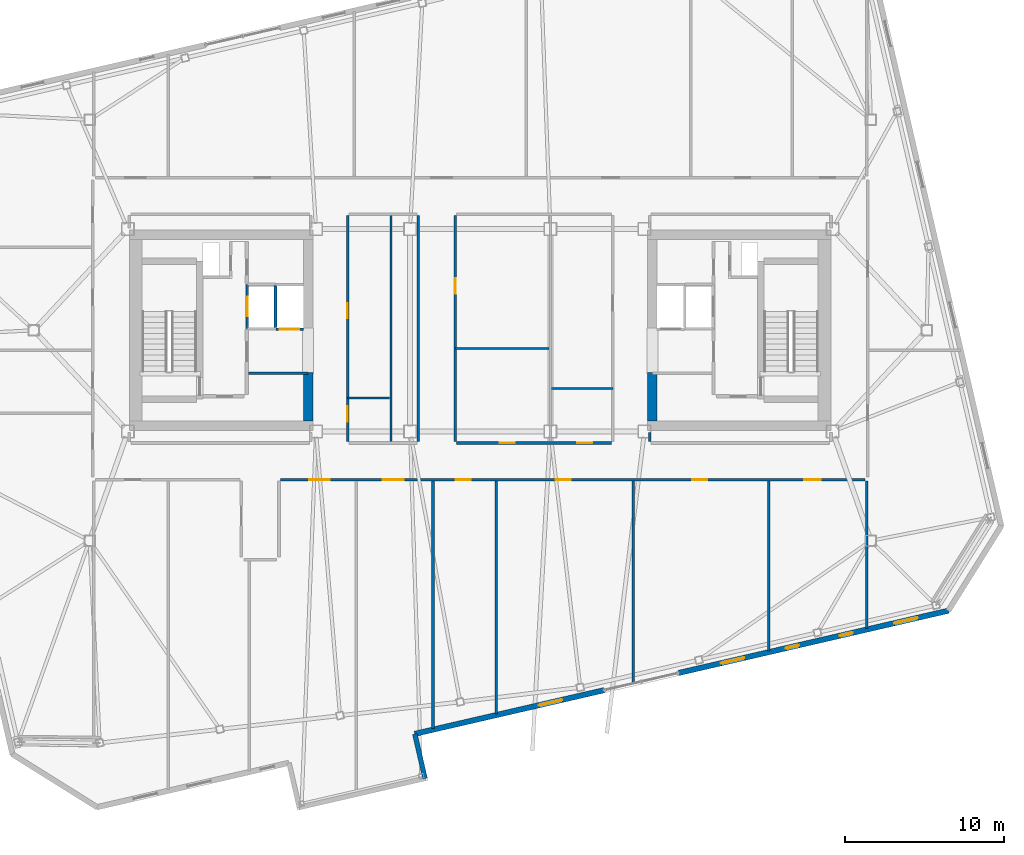
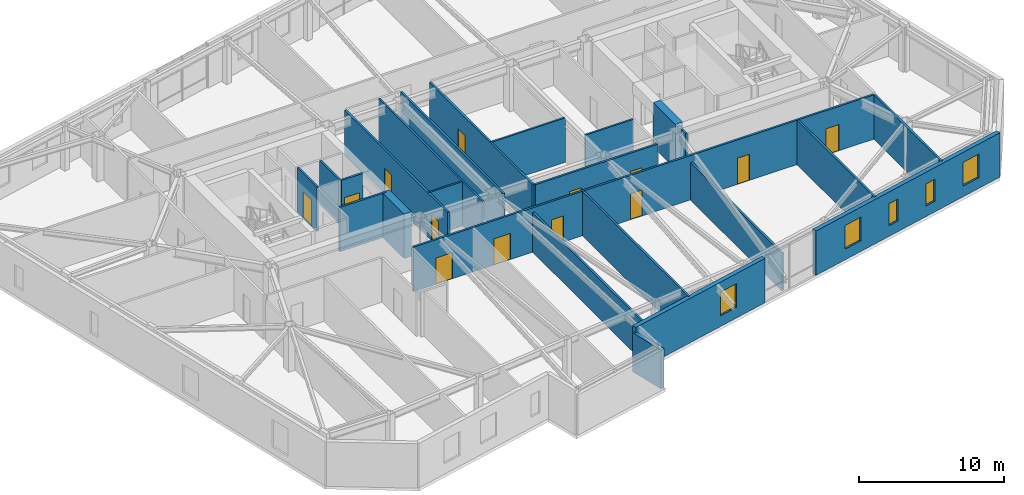
# One storey, part 15 of 21: 24 walls, 13 doors, 5 windows, 18 openings.
"""IFC4 building model written with IfcOpenShell, lengths in metres."""

from ifc_helpers import new_model, si_unit, direction, frame, frame_2d, origin, place, context, subcontext, project, spatial, rectangle, extrude, material, layer, layer_set, type_object, element, fill, save


model = new_model("IFC4")

# Units and contexts
model_context = context("Model", 3, precision=1e-05, world=origin(), true_north=direction((0.0, 1.0)))
body_context = subcontext(model_context, "Body", "Model", "MODEL_VIEW")
ifc_project = project(units=[si_unit("LENGTHUNIT", "METRE"), si_unit("AREAUNIT", "SQUARE_METRE"), si_unit("VOLUMEUNIT", "CUBIC_METRE"), si_unit("PLANEANGLEUNIT", "RADIAN"), si_unit("MASSUNIT", "GRAM", prefix="KILO")], contexts=[model_context])

# Site, building, storey
site_placement = place(None, origin())
site = spatial("IfcSite", under=ifc_project, at=site_placement, CompositionType="ELEMENT")
building_placement = place(site_placement, origin())
building = spatial("IfcBuilding", under=site, at=building_placement, Name="Tavrogorsk Clinical Tower", CompositionType="ELEMENT")
storey_placement = place(building_placement, frame((0.0, 0.0, 285.0)))
storey = spatial("IfcBuildingStorey", under=building, at=storey_placement, Name="L66", CompositionType="ELEMENT", Elevation=285.0)

# Walls
ifc_material_1 = material(Name="Lightweight concrete blockwork B15", Category="masonry")
ifc_layer_1 = layer(ifc_material_1, 0.139892578125)
ifc_layer_set_1 = layer_set([ifc_layer_1], Name="Lightweight concrete blockwork B15")
wall_type_1 = type_object("IfcWallType", Name="PartitionWall_140", PredefinedType="PARTITIONING", material=ifc_layer_set_1)
wall_1_placement = place(storey_placement, frame((-5.60009765625, -7.06494140625, 0.0), z_axis=(0.0, 0.0, 1.0), x_axis=(0.0, 1.0, 0.0)))
element("IfcWall", 1, at=wall_1_placement, inside=storey, type_object=wall_type_1, Name="L66 Central Spine Partition 1", PredefinedType="PARTITIONING", context=body_context, shape_type="SweptSolid", body=[
    extrude(rectangle(XDim=14.329833984375, YDim=0.139892578125, at=frame_2d((7.1650390625, 0.0))), origin(), (0.0, 0.0, 1.0), 3.739990234375),
])
wall_2_placement = place(storey_placement, frame((-1.56494140625, -1.14990234375, 0.0), z_axis=(0.0, 0.0, 1.0), x_axis=(1.0, 0.0, 0.0)))
element("IfcWall", 2, at=wall_2_placement, inside=storey, type_object=wall_type_1, Name="L66 Central Spine Partition 3", PredefinedType="PARTITIONING", context=body_context, shape_type="SweptSolid", body=[
    extrude(rectangle(XDim=5.889892578125, YDim=0.139892578125, at=frame_2d((2.94482421875, 0.0))), origin(), (0.0, 0.0, 1.0), 3.739990234375),
])
wall_3_placement = place(storey_placement, frame((-8.31494140625, -4.25, 0.0), z_axis=(0.0, 0.0, 1.0), x_axis=(1.0, 0.0, 0.0)))
element("IfcWall", 3, at=wall_3_placement, inside=storey, type_object=wall_type_1, Name="L66 Central Spine Partition 4", PredefinedType="PARTITIONING", context=body_context, shape_type="SweptSolid", body=[
    extrude(rectangle(XDim=2.639892578125, YDim=0.139892578125, at=frame_2d((1.31982421875, 0.0))), origin(), (0.0, 0.0, 1.0), 3.739990234375),
])
wall_4_placement = place(storey_placement, frame((4.47509765625, -3.64990234375, 0.0), z_axis=(0.0, 0.0, 1.0), x_axis=(1.0, 0.0, 0.0)))
element("IfcWall", 4, at=wall_4_placement, inside=storey, type_object=wall_type_1, Name="L66 Central Spine Partition 5", PredefinedType="PARTITIONING", context=body_context, shape_type="SweptSolid", body=[
    extrude(rectangle(XDim=3.83984375, YDim=0.139892578125, at=frame_2d((1.919921875, 0.0))), origin(), (0.0, 0.0, 1.0), 3.739990234375),
])
ifc_material_2 = material(Name="Lightweight concrete blockwork B15", Category="masonry")
ifc_layer_2 = layer(ifc_material_2, 0.159912109375)
ifc_layer_set_2 = layer_set([ifc_layer_2], Name="Lightweight concrete blockwork B15")
wall_type_2 = type_object("IfcWallType", Name="PartitionWall_160", PredefinedType="PARTITIONING", material=ifc_layer_set_2)
wall_5_placement = place(storey_placement, frame((-14.534912109375, -2.699951171875, 0.0), z_axis=(0.0, 0.0, 1.0), x_axis=(1.0, 0.0, 0.0)))
element("IfcWall", 5, at=wall_5_placement, inside=storey, type_object=wall_type_2, Name="L66 Core West Freed Mid-Bank North Partition", PredefinedType="PARTITIONING", context=body_context, shape_type="SweptSolid", body=[
    extrude(rectangle(XDim=3.73486328125, YDim=0.159912109375, at=frame_2d((1.867431640625, 0.0))), origin(), (0.0, 0.0, 1.0), 3.739990234375),
])

# Wall, openings, doors
wall_6_placement = place(storey_placement, frame((24.14501953125, -9.3798828125, 0.0), z_axis=(0.0, 0.0, 1.0), x_axis=(-1.0, 0.0, 0.0)))
wall_6 = element("IfcWall", 6, at=wall_6_placement, inside=storey, type_object=wall_type_2, Name="L66 Corridor Partition 04", PredefinedType="PARTITIONING", context=body_context, shape_type="SweptSolid", body=[
    extrude(rectangle(XDim=36.679931640625, YDim=0.159912109375, at=frame_2d((18.33984375, 0.0))), origin(), (0.0, 0.0, 1.0), 3.739990234375),
])
opening_1_placement = place(wall_6_placement, frame((33.580810546875, 0.0, 0.0)))
opening_1 = element("IfcOpeningElement", 7, at=opening_1_placement, cuts=wall_6, Name="Opening ID-01", PredefinedType="OPENING", context=body_context, shape_type="SweptSolid", body=[
    extrude(rectangle(XDim=1.300048828125, YDim=2.199951171875, at=frame_2d((0.64990234375, 1.10009765625))), frame((0.0, 0.08984375, 0.0), z_axis=(0.0, -1.0, 0.0), x_axis=(1.0, 0.0, 0.0)), (0.0, 0.0, 1.0), 0.179931640625),
])
opening_2_placement = place(wall_6_placement, frame((28.946044921875, 0.0, 0.0)))
opening_2 = element("IfcOpeningElement", 8, at=opening_2_placement, cuts=wall_6, Name="Opening ID-01", PredefinedType="OPENING", context=body_context, shape_type="SweptSolid", body=[
    extrude(rectangle(XDim=1.300048828125, YDim=2.199951171875, at=frame_2d((0.64990234375, 1.10009765625))), frame((0.0, 0.08984375, 0.0), z_axis=(0.0, -1.0, 0.0), x_axis=(1.0, 0.0, 0.0)), (0.0, 0.0, 1.0), 0.179931640625),
])
opening_3_placement = place(wall_6_placement, frame((24.736083984375, 0.0, 0.0)))
opening_3 = element("IfcOpeningElement", 9, at=opening_3_placement, cuts=wall_6, Name="Opening ID-02", PredefinedType="OPENING", context=body_context, shape_type="SweptSolid", body=[
    extrude(rectangle(XDim=0.949951171875, YDim=2.199951171875, at=frame_2d((0.47509765625, 1.10009765625))), frame((0.0, 0.08984375, 0.0), z_axis=(0.0, -1.0, 0.0), x_axis=(1.0, 0.0, 0.0)), (0.0, 0.0, 1.0), 0.179931640625),
])
opening_4_placement = place(wall_6_placement, frame((18.455078125, 0.0, 0.0)))
opening_4 = element("IfcOpeningElement", 10, at=opening_4_placement, cuts=wall_6, Name="Opening ID-02", PredefinedType="OPENING", context=body_context, shape_type="SweptSolid", body=[
    extrude(rectangle(XDim=0.949951171875, YDim=2.199951171875, at=frame_2d((0.47509765625, 1.10009765625))), frame((0.0, 0.08984375, 0.0), z_axis=(0.0, -1.0, 0.0), x_axis=(1.0, 0.0, 0.0)), (0.0, 0.0, 1.0), 0.179931640625),
])
opening_5_placement = place(wall_6_placement, frame((9.905029296875, 0.0, 0.0)))
opening_5 = element("IfcOpeningElement", 11, at=opening_5_placement, cuts=wall_6, Name="Opening ID-02", PredefinedType="OPENING", context=body_context, shape_type="SweptSolid", body=[
    extrude(rectangle(XDim=0.949951171875, YDim=2.199951171875, at=frame_2d((0.47509765625, 1.10009765625))), frame((0.0, 0.08984375, 0.0), z_axis=(0.0, -1.0, 0.0), x_axis=(1.0, 0.0, 0.0)), (0.0, 0.0, 1.0), 0.179931640625),
])
opening_6_placement = place(wall_6_placement, frame((2.7841796875, 0.0, 0.0)))
opening_6 = element("IfcOpeningElement", 12, at=opening_6_placement, cuts=wall_6, Name="Opening ID-04", PredefinedType="OPENING", context=body_context, shape_type="SweptSolid", body=[
    extrude(rectangle(XDim=1.050048828125, YDim=2.199951171875, at=frame_2d((0.52490234375, 1.10009765625))), frame((0.0, 0.08984375, 0.0), z_axis=(0.0, -1.0, 0.0), x_axis=(1.0, 0.0, 0.0)), (0.0, 0.0, 1.0), 0.179931640625),
])
ifc_material_3 = material(Name="Antibacterial HPL consultation door on aluminium frame", Category="aluminium")
door_type_1 = type_object("IfcDoorType", Name="ConsultDoor_ID04_1050", OperationType="NOTDEFINED", PredefinedType="DOOR", material=ifc_material_3)
door_1_placement = place(opening_6_placement, origin())
door_1 = element("IfcDoor", 13, at=door_1_placement, inside=storey, type_object=door_type_1, Name="L66 South Attending Physician Office 07 Door", OperationType="SINGLE_SWING_RIGHT", OverallHeight=2.199951171875, OverallWidth=1.050048828125, PredefinedType="DOOR", context=body_context, shape_type="SweptSolid", body=[
    extrude(rectangle(XDim=1.050048828125, YDim=2.199951171875, at=frame_2d((0.52490234375, 1.10009765625))), frame((0.0, 0.02490234375, 0.0), z_axis=(0.0, -1.0, 0.0), x_axis=(1.0, 0.0, 0.0)), (0.0, 0.0, 1.0), 0.050048828125),
])
fill(opening_6, door_1)
ifc_material_4 = material(Name="Laminated timber leaf on aluminium frame", Category="wood")
door_type_2 = type_object("IfcDoorType", Name="InteriorDoor_ID02_950", OperationType="NOTDEFINED", PredefinedType="DOOR", material=ifc_material_4)
door_2_placement = place(opening_3_placement, origin())
door_2 = element("IfcDoor", 14, at=door_2_placement, inside=storey, type_object=door_type_2, Name="L66 South Clean Medication & Prep Room 04 Door", OperationType="SINGLE_SWING_LEFT", OverallHeight=2.199951171875, OverallWidth=0.949951171875, PredefinedType="DOOR", context=body_context, shape_type="SweptSolid", body=[
    extrude(rectangle(XDim=0.949951171875, YDim=2.199951171875, at=frame_2d((0.47509765625, 1.10009765625))), frame((0.0, 0.02490234375, 0.0), z_axis=(0.0, -1.0, 0.0), x_axis=(1.0, 0.0, 0.0)), (0.0, 0.0, 1.0), 0.050048828125),
])
fill(opening_3, door_2)
door_3_placement = place(opening_4_placement, origin())
door_3 = element("IfcDoor", 15, at=door_3_placement, inside=storey, type_object=door_type_2, Name="L66 South Outpatient Procedure Suite 05 Door", OperationType="SINGLE_SWING_RIGHT", OverallHeight=2.199951171875, OverallWidth=0.949951171875, PredefinedType="DOOR", context=body_context, shape_type="SweptSolid", body=[
    extrude(rectangle(XDim=0.949951171875, YDim=2.199951171875, at=frame_2d((0.47509765625, 1.10009765625))), frame((0.0, 0.02490234375, 0.0), z_axis=(0.0, -1.0, 0.0), x_axis=(1.0, 0.0, 0.0)), (0.0, 0.0, 1.0), 0.050048828125),
])
fill(opening_4, door_3)
door_4_placement = place(opening_5_placement, origin())
door_4 = element("IfcDoor", 16, at=door_4_placement, inside=storey, type_object=door_type_2, Name="L66 South Cardiology Diagnostics Room 06 Door", OperationType="SINGLE_SWING_LEFT", OverallHeight=2.199951171875, OverallWidth=0.949951171875, PredefinedType="DOOR", context=body_context, shape_type="SweptSolid", body=[
    extrude(rectangle(XDim=0.949951171875, YDim=2.199951171875, at=frame_2d((0.47509765625, 1.10009765625))), frame((0.0, 0.02490234375, 0.0), z_axis=(0.0, -1.0, 0.0), x_axis=(1.0, 0.0, 0.0)), (0.0, 0.0, 1.0), 0.050048828125),
])
fill(opening_5, door_4)
ifc_material_5 = material(Name="Antibacterial HPL medical leaf on aluminium frame", Category="aluminium")
door_type_3 = type_object("IfcDoorType", Name="WardBedDoor_ID01_1300", OperationType="NOTDEFINED", PredefinedType="DOOR", material=ifc_material_5)
door_5_placement = place(opening_1_placement, origin())
door_5 = element("IfcDoor", 17, at=door_5_placement, inside=storey, type_object=door_type_3, Name="L66 South Acute Medical Ward 03A Door", OperationType="SINGLE_SWING_LEFT", OverallHeight=2.199951171875, OverallWidth=1.300048828125, PredefinedType="DOOR", context=body_context, shape_type="SweptSolid", body=[
    extrude(rectangle(XDim=1.300048828125, YDim=2.199951171875, at=frame_2d((0.64990234375, 1.10009765625))), frame((0.0, 0.02490234375, 0.0), z_axis=(0.0, -1.0, 0.0), x_axis=(1.0, 0.0, 0.0)), (0.0, 0.0, 1.0), 0.050048828125),
])
fill(opening_1, door_5)
door_6_placement = place(opening_2_placement, origin())
door_6 = element("IfcDoor", 18, at=door_6_placement, inside=storey, type_object=door_type_3, Name="L66 South Surgical Step-Down Ward 03B Door", OperationType="SINGLE_SWING_RIGHT", OverallHeight=2.199951171875, OverallWidth=1.300048828125, PredefinedType="DOOR", context=body_context, shape_type="SweptSolid", body=[
    extrude(rectangle(XDim=1.300048828125, YDim=2.199951171875, at=frame_2d((0.64990234375, 1.10009765625))), frame((0.0, 0.02490234375, 0.0), z_axis=(0.0, -1.0, 0.0), x_axis=(1.0, 0.0, 0.0)), (0.0, 0.0, 1.0), 0.050048828125),
])
fill(opening_2, door_6)

# Wall
wall_7_placement = place(storey_placement, frame((10.6298828125, -6.419921875, 0.0), z_axis=(0.0, 0.0, 1.0), x_axis=(0.0, -1.0, 0.0)))
element("IfcWall", 19, at=wall_7_placement, inside=storey, type_object=wall_type_2, Name="L66 Corridor Partition 11", PredefinedType="PARTITIONING", context=body_context, shape_type="SweptSolid", body=[
    extrude(rectangle(XDim=0.565185546875, YDim=0.159912109375, at=frame_2d((0.28271484375, 0.0))), origin(), (0.0, 0.0, 1.0), 3.739990234375),
])

# Wall, opening, door
wall_8_placement = place(storey_placement, frame((-1.570068359375, 7.18505859375, 0.0), z_axis=(0.0, 0.0, 1.0), x_axis=(0.0, -1.0, 0.0)))
wall_8 = element("IfcWall", 20, at=wall_8_placement, inside=storey, type_object=wall_type_2, Name="L66 Corridor Partition 16", PredefinedType="PARTITIONING", context=body_context, shape_type="SweptSolid", body=[
    extrude(rectangle(XDim=14.170166015625, YDim=0.159912109375, at=frame_2d((7.0849609375, 0.0))), origin(), (0.0, 0.0, 1.0), 3.739990234375),
])
opening_7_placement = place(wall_8_placement, frame((3.92919921875, 0.0, 0.0)))
opening_7 = element("IfcOpeningElement", 21, at=opening_7_placement, cuts=wall_8, Name="Opening ID-02", PredefinedType="OPENING", context=body_context, shape_type="SweptSolid", body=[
    extrude(rectangle(XDim=0.949951171875, YDim=2.199951171875, at=frame_2d((0.47509765625, 1.10009765625))), frame((0.0, 0.08984375, 0.0), z_axis=(0.0, -1.0, 0.0), x_axis=(1.0, 0.0, 0.0)), (0.0, 0.0, 1.0), 0.179931640625),
])
door_7_placement = place(opening_7_placement, origin())
door_7 = element("IfcDoor", 22, at=door_7_placement, inside=storey, type_object=door_type_2, Name="L66 Nurses' Station & Triage Hub Door", OperationType="SINGLE_SWING_RIGHT", OverallHeight=2.199951171875, OverallWidth=0.949951171875, PredefinedType="DOOR", context=body_context, shape_type="SweptSolid", body=[
    extrude(rectangle(XDim=0.949951171875, YDim=2.199951171875, at=frame_2d((0.47509765625, 1.10009765625))), frame((0.0, 0.02490234375, 0.0), z_axis=(0.0, -1.0, 0.0), x_axis=(1.0, 0.0, 0.0)), (0.0, 0.0, 1.0), 0.050048828125),
])
fill(opening_7, door_7)

# Wall, openings, doors
wall_9_placement = place(storey_placement, frame((-1.485107421875, -7.070068359375, 0.0), z_axis=(0.0, 0.0, 1.0), x_axis=(1.0, 0.0, 0.0)))
wall_9 = element("IfcWall", 23, at=wall_9_placement, inside=storey, type_object=wall_type_2, Name="L66 Corridor Partition 17", PredefinedType="PARTITIONING", context=body_context, shape_type="SweptSolid", body=[
    extrude(rectangle(XDim=9.72021484375, YDim=0.159912109375, at=frame_2d((4.860107421875, 0.0))), origin(), (0.0, 0.0, 1.0), 3.739990234375),
])
opening_8_placement = place(wall_9_placement, frame((2.7041015625, 0.0, 0.0)))
opening_8 = element("IfcOpeningElement", 24, at=opening_8_placement, cuts=wall_9, Name="Opening ID-02", PredefinedType="OPENING", context=body_context, shape_type="SweptSolid", body=[
    extrude(rectangle(XDim=0.949951171875, YDim=2.199951171875, at=frame_2d((0.47509765625, 1.10009765625))), frame((0.0, 0.08984375, 0.0), z_axis=(0.0, -1.0, 0.0), x_axis=(1.0, 0.0, 0.0)), (0.0, 0.0, 1.0), 0.179931640625),
])
opening_9_placement = place(wall_9_placement, frame((7.560791015625, 0.0, 0.0)))
opening_9 = element("IfcOpeningElement", 25, at=opening_9_placement, cuts=wall_9, Name="Opening ID-02", PredefinedType="OPENING", context=body_context, shape_type="SweptSolid", body=[
    extrude(rectangle(XDim=0.949951171875, YDim=2.199951171875, at=frame_2d((0.47509765625, 1.10009765625))), frame((0.0, 0.08984375, 0.0), z_axis=(0.0, -1.0, 0.0), x_axis=(1.0, 0.0, 0.0)), (0.0, 0.0, 1.0), 0.179931640625),
])
door_8_placement = place(opening_8_placement, origin())
door_8 = element("IfcDoor", 26, at=door_8_placement, inside=storey, type_object=door_type_2, Name="L66 Multidisciplinary Conference Room Door", OperationType="SINGLE_SWING_LEFT", OverallHeight=2.199951171875, OverallWidth=0.949951171875, PredefinedType="DOOR", context=body_context, shape_type="SweptSolid", body=[
    extrude(rectangle(XDim=0.949951171875, YDim=2.199951171875, at=frame_2d((0.47509765625, 1.10009765625))), frame((0.0, 0.02490234375, 0.0), z_axis=(0.0, -1.0, 0.0), x_axis=(1.0, 0.0, 0.0)), (0.0, 0.0, 1.0), 0.050048828125),
])
fill(opening_8, door_8)
door_9_placement = place(opening_9_placement, origin())
door_9 = element("IfcDoor", 27, at=door_9_placement, inside=storey, type_object=door_type_2, Name="L66 Staff & Visitor Accessible WC Door", OperationType="SINGLE_SWING_LEFT", OverallHeight=2.199951171875, OverallWidth=0.949951171875, PredefinedType="DOOR", context=body_context, shape_type="SweptSolid", body=[
    extrude(rectangle(XDim=0.949951171875, YDim=2.199951171875, at=frame_2d((0.47509765625, 1.10009765625))), frame((0.0, 0.02490234375, 0.0), z_axis=(0.0, -1.0, 0.0), x_axis=(1.0, 0.0, 0.0)), (0.0, 0.0, 1.0), 0.050048828125),
])
fill(opening_9, door_9)

# Wall
wall_10_placement = place(storey_placement, frame((-3.8798828125, -6.985107421875, 0.0), z_axis=(0.0, 0.0, 1.0), x_axis=(0.0, 1.0, 0.0)))
element("IfcWall", 28, at=wall_10_placement, inside=storey, type_object=wall_type_2, Name="L66 Corridor Partition 19", PredefinedType="PARTITIONING", context=body_context, shape_type="SweptSolid", body=[
    extrude(rectangle(XDim=14.170166015625, YDim=0.159912109375, at=frame_2d((7.0849609375, 0.0))), origin(), (0.0, 0.0, 1.0), 3.739990234375),
])

# Wall, openings, doors
wall_11_placement = place(storey_placement, frame((-8.320068359375, 7.18505859375, 0.0), z_axis=(0.0, 0.0, 1.0), x_axis=(0.0, -1.0, 0.0)))
wall_11 = element("IfcWall", 29, at=wall_11_placement, inside=storey, type_object=wall_type_2, Name="L66 Corridor Partition 21", PredefinedType="PARTITIONING", context=body_context, shape_type="SweptSolid", body=[
    extrude(rectangle(XDim=14.170166015625, YDim=0.159912109375, at=frame_2d((7.0849609375, 0.0))), origin(), (0.0, 0.0, 1.0), 3.739990234375),
])
opening_10_placement = place(wall_11_placement, frame((11.9609375, 0.0, 0.0)))
opening_10 = element("IfcOpeningElement", 30, at=opening_10_placement, cuts=wall_11, Name="Opening ID-02", PredefinedType="OPENING", context=body_context, shape_type="SweptSolid", body=[
    extrude(rectangle(XDim=0.949951171875, YDim=2.199951171875, at=frame_2d((0.47509765625, 1.10009765625))), frame((0.0, 0.08984375, 0.0), z_axis=(0.0, -1.0, 0.0), x_axis=(1.0, 0.0, 0.0)), (0.0, 0.0, 1.0), 0.179931640625),
])
opening_11_placement = place(wall_11_placement, frame((5.47900390625, 0.0, 0.0)))
opening_11 = element("IfcOpeningElement", 31, at=opening_11_placement, cuts=wall_11, Name="Opening ID-02", PredefinedType="OPENING", context=body_context, shape_type="SweptSolid", body=[
    extrude(rectangle(XDim=0.949951171875, YDim=2.199951171875, at=frame_2d((0.47509765625, 1.10009765625))), frame((0.0, 0.08984375, 0.0), z_axis=(0.0, -1.0, 0.0), x_axis=(1.0, 0.0, 0.0)), (0.0, 0.0, 1.0), 0.179931640625),
])
door_10_placement = place(opening_10_placement, origin())
door_10 = element("IfcDoor", 32, at=door_10_placement, inside=storey, type_object=door_type_2, Name="L66 Accessible Patient Lavatory Door", OperationType="SINGLE_SWING_LEFT", OverallHeight=2.199951171875, OverallWidth=0.949951171875, PredefinedType="DOOR", context=body_context, shape_type="SweptSolid", body=[
    extrude(rectangle(XDim=0.949951171875, YDim=2.199951171875, at=frame_2d((0.47509765625, 1.10009765625))), frame((0.0, 0.02490234375, 0.0), z_axis=(0.0, -1.0, 0.0), x_axis=(1.0, 0.0, 0.0)), (0.0, 0.0, 1.0), 0.050048828125),
])
fill(opening_10, door_10)
door_11_placement = place(opening_11_placement, origin())
door_11 = element("IfcDoor", 33, at=door_11_placement, inside=storey, type_object=door_type_2, Name="L66 Ward Nourishment Pantry Door", OperationType="SINGLE_SWING_RIGHT", OverallHeight=2.199951171875, OverallWidth=0.949951171875, PredefinedType="DOOR", context=body_context, shape_type="SweptSolid", body=[
    extrude(rectangle(XDim=0.949951171875, YDim=2.199951171875, at=frame_2d((0.47509765625, 1.10009765625))), frame((0.0, 0.02490234375, 0.0), z_axis=(0.0, -1.0, 0.0), x_axis=(1.0, 0.0, 0.0)), (0.0, 0.0, 1.0), 0.050048828125),
])
fill(opening_11, door_11)

# Walls
wall_12_placement = place(storey_placement, frame((24.22998046875, -18.702880859375, 0.0), z_axis=(0.0, 0.0, 1.0), x_axis=(0.0, 1.0, 0.0)))
element("IfcWall", 34, at=wall_12_placement, inside=storey, type_object=wall_type_2, Name="L66 SE Wing Closure Partition", PredefinedType="PARTITIONING", context=body_context, shape_type="SweptSolid", body=[
    extrude(rectangle(XDim=9.23779296875, YDim=0.159912109375, at=frame_2d((4.618896484375, 0.0))), origin(), (0.0, 0.0, 1.0), 3.739990234375),
])
wall_13_placement = place(storey_placement, frame((-2.9619140625, -24.98046875, 0.0), z_axis=(0.0, 0.0, 1.0), x_axis=(0.0, 1.0, 0.0)))
element("IfcWall", 35, at=wall_13_placement, inside=storey, type_object=wall_type_2, Name="L66 South Room Partition 3", PredefinedType="PARTITIONING", context=body_context, shape_type="SweptSolid", body=[
    extrude(rectangle(XDim=15.515380859375, YDim=0.159912109375, at=frame_2d((7.7578125, 0.0))), origin(), (0.0, 0.0, 1.0), 3.3349609375),
])
wall_14_placement = place(storey_placement, frame((1.0, -24.06591796875, 0.0), z_axis=(0.0, 0.0, 1.0), x_axis=(0.0, 1.0, 0.0)))
element("IfcWall", 36, at=wall_14_placement, inside=storey, type_object=wall_type_2, Name="L66 South Room Partition 4", PredefinedType="PARTITIONING", context=body_context, shape_type="SweptSolid", body=[
    extrude(rectangle(XDim=14.600830078125, YDim=0.159912109375, at=frame_2d((7.30029296875, 0.0))), origin(), (0.0, 0.0, 1.0), 3.739990234375),
])
wall_15_placement = place(storey_placement, frame((9.60009765625, -22.080322265625, 0.0), z_axis=(0.0, 0.0, 1.0), x_axis=(0.0, 1.0, 0.0)))
element("IfcWall", 37, at=wall_15_placement, inside=storey, type_object=wall_type_2, Name="L66 South Room Partition 5", PredefinedType="PARTITIONING", context=body_context, shape_type="SweptSolid", body=[
    extrude(rectangle(XDim=12.615234375, YDim=0.159912109375, at=frame_2d((6.3076171875, 0.0))), origin(), (0.0, 0.0, 1.0), 3.1650390625),
])
wall_16_placement = place(storey_placement, frame((18.10009765625, -20.117919921875, 0.0), z_axis=(0.0, 0.0, 1.0), x_axis=(0.0, 1.0, 0.0)))
element("IfcWall", 38, at=wall_16_placement, inside=storey, type_object=wall_type_2, Name="L66 South Room Partition 6", PredefinedType="PARTITIONING", context=body_context, shape_type="SweptSolid", body=[
    extrude(rectangle(XDim=10.65283203125, YDim=0.159912109375, at=frame_2d((5.326416015625, 0.0))), origin(), (0.0, 0.0, 1.0), 3.739990234375),
])

# Wall, opening, window
ifc_material_6 = material(Name="Precast concrete B45 with limestone cladding", Category="masonry")
ifc_layer_3 = layer(ifc_material_6, 0.340087890625)
ifc_layer_set_3 = layer_set([ifc_layer_3], Name="Precast concrete B45 with limestone cladding")
wall_type_3 = type_object("IfcWallType", Name="PrecastLimestoneWall_340", PredefinedType="STANDARD", material=ifc_layer_set_3)
wall_17_placement = place(storey_placement, frame((-4.103759765625, -25.31591796875, 0.0), z_axis=(0.0, 0.0, 1.0), x_axis=(0.974372956312, 0.224938529398, 0.0)))
wall_17 = element("IfcWall", 39, at=wall_17_placement, inside=storey, type_object=wall_type_3, Name="L66 S Limestone Facade Wall 2", PredefinedType="STANDARD", context=body_context, shape_type="SweptSolid", body=[
    extrude(rectangle(XDim=12.184326171875, YDim=0.340087890625, at=frame_2d((6.09228515625, 0.0))), origin(), (0.0, 0.0, 1.0), 3.739990234375),
])
opening_12_placement = place(wall_17_placement, frame((7.980712890625, 0.0, 0.89990234375)))
opening_12 = element("IfcOpeningElement", 40, at=opening_12_placement, cuts=wall_17, Name="Opening WN-05", PredefinedType="OPENING", context=body_context, shape_type="SweptSolid", body=[
    extrude(rectangle(XDim=1.5, YDim=2.0, at=frame_2d((0.75, 1.0))), frame((0.0, 0.179931640625, 0.0), z_axis=(0.0, -1.0, 0.0), x_axis=(1.0, 0.0, 0.0)), (0.0, 0.0, 1.0), 0.360107421875),
])
ifc_material_7 = material(Name="Thermally broken aluminium frame and triple IGU", Category="aluminium")
window_type_1 = type_object("IfcWindowType", Name="ConsultWin_1500x2000", PartitioningType="SINGLE_PANEL", PredefinedType="WINDOW", material=ifc_material_7)
window_1_placement = place(opening_12_placement, origin())
window_1 = element("IfcWindow", 41, at=window_1_placement, inside=storey, type_object=window_type_1, Name="L66 S Chicago Window 06", OverallHeight=2.0, OverallWidth=1.5, PartitioningType="SINGLE_PANEL", PredefinedType="WINDOW", context=body_context, shape_type="SweptSolid", body=[
    extrude(rectangle(XDim=1.5, YDim=2.0, at=frame_2d((0.75, 1.0))), frame((0.0, 0.030029296875, 0.0), z_axis=(0.0, -1.0, 0.0), x_axis=(1.0, 0.0, 0.0)), (0.0, 0.0, 1.0), 0.06005859375),
])
fill(opening_12, window_1)

# Wall, openings, windows
wall_18_placement = place(storey_placement, frame((12.4453125, -21.495361328125, 0.0), z_axis=(0.0, 0.0, 1.0), x_axis=(0.974369392164, 0.224953967767, 0.0)))
wall_18 = element("IfcWall", 42, at=wall_18_placement, inside=storey, type_object=wall_type_3, Name="L66 S Limestone Facade Wall 3", PredefinedType="STANDARD", context=body_context, shape_type="SweptSolid", body=[
    extrude(rectangle(XDim=17.36572265625, YDim=0.340087890625, at=frame_2d((8.682861328125, 0.0))), origin(), (0.0, 0.0, 1.0), 3.739990234375),
])
opening_13_placement = place(wall_18_placement, frame((2.728515625, 0.0, 0.89990234375)))
opening_13 = element("IfcOpeningElement", 43, at=opening_13_placement, cuts=wall_18, Name="Opening WN-05", PredefinedType="OPENING", context=body_context, shape_type="SweptSolid", body=[
    extrude(rectangle(XDim=1.5, YDim=2.0, at=frame_2d((0.75, 1.0))), frame((0.0, 0.179931640625, 0.0), z_axis=(0.0, -1.0, 0.0), x_axis=(1.0, 0.0, 0.0)), (0.0, 0.0, 1.0), 0.360107421875),
])
opening_14_placement = place(wall_18_placement, frame((6.890380859375, 0.0, 0.89990234375)))
opening_14 = element("IfcOpeningElement", 44, at=opening_14_placement, cuts=wall_18, Name="Opening WN-06", PredefinedType="OPENING", context=body_context, shape_type="SweptSolid", body=[
    extrude(rectangle(XDim=0.85009765625, YDim=1.85009765625, at=frame_2d((0.425048828125, 0.925048828125))), frame((0.0, 0.179931640625, 0.0), z_axis=(0.0, -1.0, 0.0), x_axis=(1.0, 0.0, 0.0)), (0.0, 0.0, 1.0), 0.360107421875),
])
opening_15_placement = place(wall_18_placement, frame((10.36279296875, 0.0, 0.89990234375)))
opening_15 = element("IfcOpeningElement", 45, at=opening_15_placement, cuts=wall_18, Name="Opening WN-06", PredefinedType="OPENING", context=body_context, shape_type="SweptSolid", body=[
    extrude(rectangle(XDim=0.85009765625, YDim=1.85009765625, at=frame_2d((0.425048828125, 0.925048828125))), frame((0.0, 0.179931640625, 0.0), z_axis=(0.0, -1.0, 0.0), x_axis=(1.0, 0.0, 0.0)), (0.0, 0.0, 1.0), 0.360107421875),
])
opening_16_placement = place(wall_18_placement, frame((13.87451171875, 0.0, 0.89990234375)))
opening_16 = element("IfcOpeningElement", 46, at=opening_16_placement, cuts=wall_18, Name="Opening WN-05", PredefinedType="OPENING", context=body_context, shape_type="SweptSolid", body=[
    extrude(rectangle(XDim=1.5, YDim=2.0, at=frame_2d((0.75, 1.0))), frame((0.0, 0.179931640625, 0.0), z_axis=(0.0, -1.0, 0.0), x_axis=(1.0, 0.0, 0.0)), (0.0, 0.0, 1.0), 0.360107421875),
])
window_2_placement = place(opening_13_placement, origin())
window_2 = element("IfcWindow", 47, at=window_2_placement, inside=storey, type_object=window_type_1, Name="L66 S Chicago Window 07", OverallHeight=2.0, OverallWidth=1.5, PartitioningType="SINGLE_PANEL", PredefinedType="WINDOW", context=body_context, shape_type="SweptSolid", body=[
    extrude(rectangle(XDim=1.5, YDim=2.0, at=frame_2d((0.75, 1.0))), frame((0.0, 0.030029296875, 0.0), z_axis=(0.0, -1.0, 0.0), x_axis=(1.0, 0.0, 0.0)), (0.0, 0.0, 1.0), 0.06005859375),
])
fill(opening_13, window_2)
window_3_placement = place(opening_16_placement, origin())
window_3 = element("IfcWindow", 48, at=window_3_placement, inside=storey, type_object=window_type_1, Name="L66 S Chicago Window 10", OverallHeight=2.0, OverallWidth=1.5, PartitioningType="SINGLE_PANEL", PredefinedType="WINDOW", context=body_context, shape_type="SweptSolid", body=[
    extrude(rectangle(XDim=1.5, YDim=2.0, at=frame_2d((0.75, 1.0))), frame((0.0, 0.030029296875, 0.0), z_axis=(0.0, -1.0, 0.0), x_axis=(1.0, 0.0, 0.0)), (0.0, 0.0, 1.0), 0.06005859375),
])
fill(opening_16, window_3)
ifc_material_8 = material(Name="Thermally broken aluminium frame and triple IGU", Category="aluminium")
window_type_2 = type_object("IfcWindowType", Name="MullionSubWin_850x1850", PartitioningType="SINGLE_PANEL", PredefinedType="WINDOW", material=ifc_material_8)
window_4_placement = place(opening_14_placement, origin())
window_4 = element("IfcWindow", 49, at=window_4_placement, inside=storey, type_object=window_type_2, Name="L66 S Mullion Split Window 08B", OverallHeight=1.85009765625, OverallWidth=0.85009765625, PartitioningType="SINGLE_PANEL", PredefinedType="WINDOW", context=body_context, shape_type="SweptSolid", body=[
    extrude(rectangle(XDim=0.85009765625, YDim=1.85009765625, at=frame_2d((0.425048828125, 0.925048828125))), frame((0.0, 0.030029296875, 0.0), z_axis=(0.0, -1.0, 0.0), x_axis=(1.0, 0.0, 0.0)), (0.0, 0.0, 1.0), 0.06005859375),
])
fill(opening_14, window_4)
window_5_placement = place(opening_15_placement, origin())
window_5 = element("IfcWindow", 50, at=window_5_placement, inside=storey, type_object=window_type_2, Name="L66 S Mullion Split Window 09A", OverallHeight=1.85009765625, OverallWidth=0.85009765625, PartitioningType="SINGLE_PANEL", PredefinedType="WINDOW", context=body_context, shape_type="SweptSolid", body=[
    extrude(rectangle(XDim=0.85009765625, YDim=1.85009765625, at=frame_2d((0.425048828125, 0.925048828125))), frame((0.0, 0.030029296875, 0.0), z_axis=(0.0, -1.0, 0.0), x_axis=(1.0, 0.0, 0.0)), (0.0, 0.0, 1.0), 0.06005859375),
])
fill(opening_15, window_5)

# Wall, opening, door
ifc_material_9 = material(Name="Lightweight concrete blockwork B25", Category="masonry")
ifc_layer_4 = layer(ifc_material_9, 0.159912109375)
ifc_layer_set_4 = layer_set([ifc_layer_4], Name="Lightweight concrete blockwork B25")
wall_type_4 = type_object("IfcWallType", Name="ShaftWall_160", PredefinedType="PARTITIONING", material=ifc_layer_set_4)
wall_19_placement = place(storey_placement, frame((-14.60009765625, 0.1201171875, 0.0), z_axis=(0.0, 0.0, 1.0), x_axis=(0.0, 1.0, 0.0)))
wall_19 = element("IfcWall", 51, at=wall_19_placement, inside=storey, type_object=wall_type_4, Name="L66 FFL-W Firefighting Lift Front Wall", PredefinedType="PARTITIONING", context=body_context, shape_type="SweptSolid", body=[
    extrude(rectangle(XDim=2.739990234375, YDim=0.159912109375, at=frame_2d((1.3701171875, 0.0))), origin(), (0.0, 0.0, 1.0), 3.739990234375),
])
opening_17_placement = place(wall_19_placement, frame((0.77001953125, 0.0, 0.0)))
opening_17 = element("IfcOpeningElement", 52, at=opening_17_placement, cuts=wall_19, Name="Opening LD", PredefinedType="OPENING", context=body_context, shape_type="SweptSolid", body=[
    extrude(rectangle(XDim=1.199951171875, YDim=2.199951171875, at=frame_2d((0.60009765625, 1.10009765625))), frame((0.0, 0.08984375, 0.0), z_axis=(0.0, -1.0, 0.0), x_axis=(1.0, 0.0, 0.0)), (0.0, 0.0, 1.0), 0.179931640625),
])
ifc_material_10 = material(Name="Brushed stainless steel AISI 304 sliding doors", Category="steel")
door_type_4 = type_object("IfcDoorType", Name="LiftLandingDoor_LD_1200", OperationType="SLIDING_TO_LEFT", PredefinedType="DOOR", material=ifc_material_10)
door_12_placement = place(opening_17_placement, origin())
door_12 = element("IfcDoor", 53, at=door_12_placement, inside=storey, type_object=door_type_4, Name="L66 FFL-W Sliding Lift Landing Door", OperationType="SLIDING_TO_LEFT", OverallHeight=2.199951171875, OverallWidth=1.199951171875, PredefinedType="DOOR", context=body_context, shape_type="SweptSolid", body=[
    extrude(rectangle(XDim=1.199951171875, YDim=2.199951171875, at=frame_2d((0.60009765625, 1.10009765625))), frame((0.0, 0.02490234375, 0.0), z_axis=(0.0, -1.0, 0.0), x_axis=(1.0, 0.0, 0.0)), (0.0, 0.0, 1.0), 0.050048828125),
])
fill(opening_17, door_12)

# Wall
wall_20_placement = place(storey_placement, frame((-12.840087890625, 0.179931640625, 0.0), z_axis=(0.0, 0.0, 1.0), x_axis=(0.0, 1.0, 0.0)))
element("IfcWall", 54, at=wall_20_placement, inside=storey, type_object=wall_type_4, Name="L66 FFL-W Shaft Back Wall", PredefinedType="PARTITIONING", context=body_context, shape_type="SweptSolid", body=[
    extrude(rectangle(XDim=2.6201171875, YDim=0.159912109375, at=frame_2d((1.31005859375, 0.0))), origin(), (0.0, 0.0, 1.0), 3.739990234375),
])

# Wall, opening, door
wall_21_placement = place(storey_placement, frame((-12.820068359375, 0.06005859375, 0.0), z_axis=(0.0, 0.0, 1.0), x_axis=(1.0, 0.0, 0.0)))
wall_21 = element("IfcWall", 55, at=wall_21_placement, inside=storey, type_object=wall_type_4, Name="L66 LP-H1 High-Zone Lift Portal Wall", PredefinedType="PARTITIONING", context=body_context, shape_type="SweptSolid", body=[
    extrude(rectangle(XDim=1.719970703125, YDim=0.159912109375, at=frame_2d((0.85986328125, 0.0))), origin(), (0.0, 0.0, 1.0), 3.739990234375),
])
opening_18_placement = place(wall_21_placement, frame((0.260009765625, 0.0, 0.0)))
opening_18 = element("IfcOpeningElement", 56, at=opening_18_placement, cuts=wall_21, Name="Opening LD", PredefinedType="OPENING", context=body_context, shape_type="SweptSolid", body=[
    extrude(rectangle(XDim=1.199951171875, YDim=2.199951171875, at=frame_2d((0.60009765625, 1.10009765625))), frame((0.0, 0.08984375, 0.0), z_axis=(0.0, -1.0, 0.0), x_axis=(1.0, 0.0, 0.0)), (0.0, 0.0, 1.0), 0.179931640625),
])
door_13_placement = place(opening_18_placement, origin())
door_13 = element("IfcDoor", 57, at=door_13_placement, inside=storey, type_object=door_type_4, Name="L66 LP-H1 Sliding Lift Landing Door", OperationType="SLIDING_TO_LEFT", OverallHeight=2.199951171875, OverallWidth=1.199951171875, PredefinedType="DOOR", context=body_context, shape_type="SweptSolid", body=[
    extrude(rectangle(XDim=1.199951171875, YDim=2.199951171875, at=frame_2d((0.60009765625, 1.10009765625))), frame((0.0, 0.02490234375, 0.0), z_axis=(0.0, -1.0, 0.0), x_axis=(1.0, 0.0, 0.0)), (0.0, 0.0, 1.0), 0.050048828125),
])
fill(opening_18, door_13)

# Walls
ifc_material_11 = material(Name="Concrete B80", Category="concrete")
ifc_layer_5 = layer(ifc_material_11, 0.60009765625)
ifc_layer_set_5 = layer_set([ifc_layer_5], Name="Concrete B80")
wall_type_5 = type_object("IfcWallType", Name="ShearWall_600", PredefinedType="SHEAR", material=ifc_layer_set_5)
for number, where, z_axis, x_axis, name in (
    (58, (-10.800048828125, -5.699951171875, 0.0), (0.0, 0.0, 1.0), (0.0, 1.0, 0.0), "L66 Core West Inner South Pier"),
    (59, (10.800048828125, -5.699951171875, 0.0), (0.0, 0.0, 1.0), (0.0, 1.0, 0.0), "L66 Core East Inner South Pier"),
):
    element("IfcWall", number, at=place(storey_placement, frame(where, z_axis=z_axis, x_axis=x_axis)), inside=storey, type_object=wall_type_5, Name=name, PredefinedType="SHEAR", context=body_context, shape_type="SweptSolid", body=[
        extrude(rectangle(XDim=3.050048828125, YDim=0.60009765625, at=frame_2d((1.52490234375, 0.0))), origin(), (0.0, 0.0, 1.0), 3.739990234375),
    ])
ifc_material_12 = material(Name="Precast concrete B45 with mineral wool", Category="concrete")
ifc_layer_6 = layer(ifc_material_12, 0.300048828125)
ifc_layer_set_6 = layer_set([ifc_layer_6], Name="Precast concrete B45 with mineral wool")
wall_type_6 = type_object("IfcWallType", Name="SpandrelBackWall_300", PredefinedType="STANDARD", material=ifc_layer_set_6)
wall_22_placement = place(storey_placement, frame((-4.103759765625, -25.31591796875, 0.0), z_axis=(0.0, 0.0, 1.0), x_axis=(0.225002397841, -0.97435820978, 0.0)))
element("IfcWall", 60, at=wall_22_placement, inside=storey, type_object=wall_type_6, Name="L66 Day-Room Cheek Wall DRB-09-R", PredefinedType="STANDARD", context=body_context, shape_type="SweptSolid", body=[
    extrude(rectangle(XDim=2.869873046875, YDim=0.300048828125, at=frame_2d((1.43505859375, 0.0))), origin(), (0.0, 0.0, 1.0), 3.284912109375),
])

save(model, "model.ifc")
